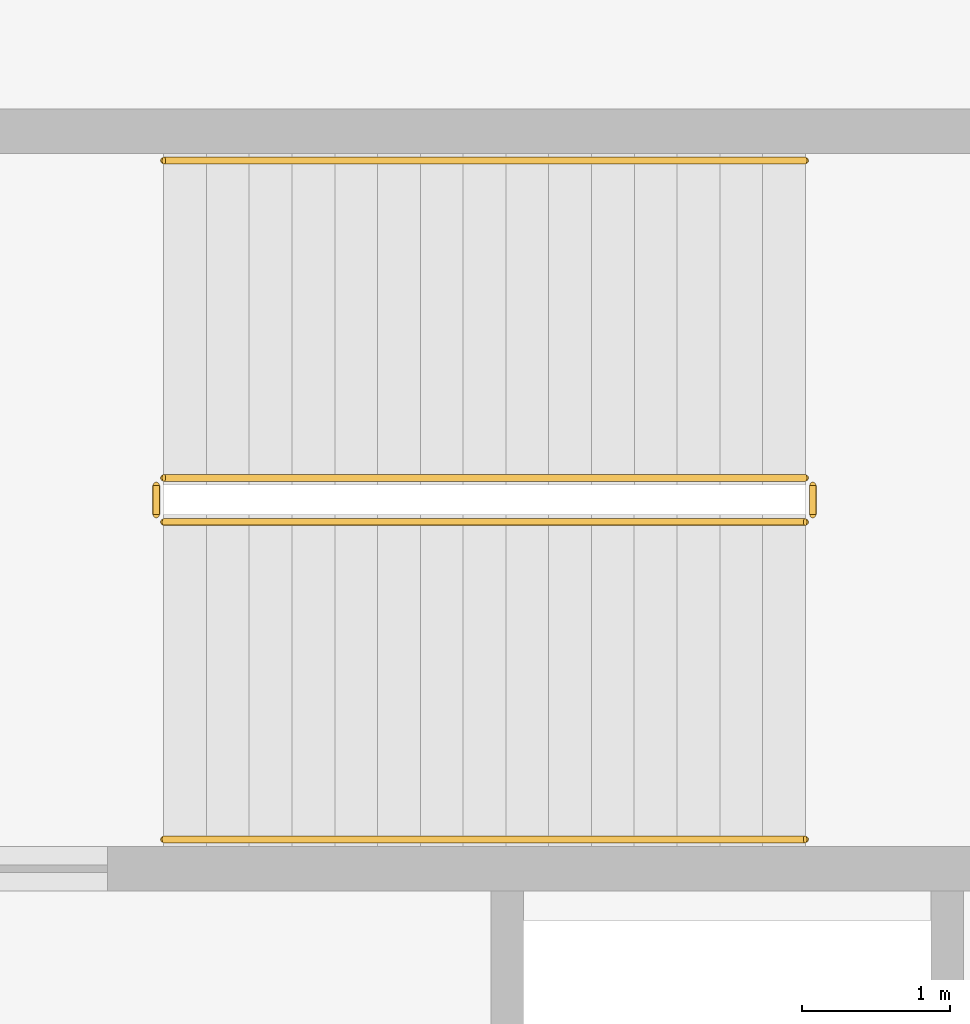
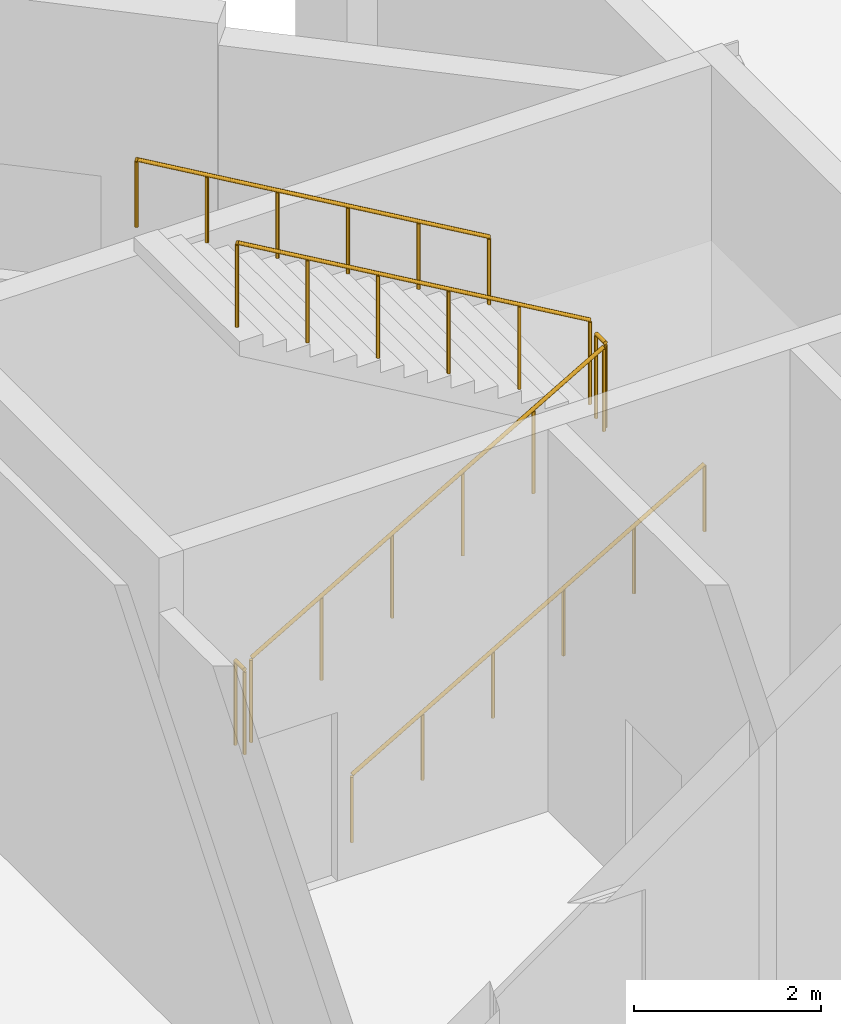
# One storey, part 125 of 127: 6 railings.
"""IFC4 building model written with IfcOpenShell, lengths in metres."""

from ifc_helpers import new_model, si_unit, direction, frame, origin, origin_2d, place, context, subcontext, project, spatial, circle, extrude, material, type_object, element, save


model = new_model("IFC4")

# Units and contexts
model_context = context("Model", 3, precision=1e-05, world=origin(), true_north=direction((0.0, 1.0)))
body_context = subcontext(model_context, "Body", "Model", "MODEL_VIEW")
ifc_project = project(units=[si_unit("LENGTHUNIT", "METRE"), si_unit("AREAUNIT", "SQUARE_METRE"), si_unit("VOLUMEUNIT", "CUBIC_METRE"), si_unit("PLANEANGLEUNIT", "RADIAN"), si_unit("MASSUNIT", "GRAM", prefix="KILO")], contexts=[model_context])

# Site, building, storey
site_placement = place(None, origin())
site = spatial("IfcSite", under=ifc_project, at=site_placement, CompositionType="ELEMENT")
building_placement = place(site_placement, origin())
building = spatial("IfcBuilding", under=site, at=building_placement, Name="Larkvane Passage Sports Hall", CompositionType="ELEMENT")
storey_placement = place(building_placement, frame((0.0, 0.0, 5.39990234375)))
storey = spatial("IfcBuildingStorey", under=building, at=storey_placement, Name="L01", CompositionType="ELEMENT", Elevation=5.39990234375)

# Railings
ifc_material_1 = material(Name="Steel S355JR", Category="steel")
railing_type_1 = type_object("IfcRailingType", Name="RL-GUARD-1120", PredefinedType="GUARDRAIL", material=ifc_material_1)
railing_1_placement = place(storey_placement, frame((86.179931640625, 88.800048828125, 0.1689453125)))
element("IfcRailing", 1, at=railing_1_placement, inside=storey, type_object=railing_type_1, Name="L01 ST-03 stair guard 1", PredefinedType="GUARDRAIL", context=body_context, shape_type="SweptSolid", body=[
    extrude(circle(Radius=0.02392578125, at=origin_2d()), frame((0.001708984375, 0.0, 1.09716796875), z_axis=(0.864323800911, 0.0, 0.50293574856), x_axis=(0.0, 1.0, 0.0)), (0.0, 0.0, 1.0), 5.029052734375),
    extrude(circle(Radius=0.02099609375, at=origin_2d()), origin(), (0.0, 0.0, 1.0), 1.072021484375),
    extrude(circle(Radius=0.02099609375, at=origin_2d()), frame((0.8701171875, 0.0, 0.50634765625)), (0.0, 0.0, 1.0), 1.072021484375),
    extrude(circle(Radius=0.02099609375, at=origin_2d()), frame((1.739990234375, 0.0, 1.012451171875)), (0.0, 0.0, 1.0), 1.072021484375),
    extrude(circle(Radius=0.02099609375, at=origin_2d()), frame((2.610107421875, 0.0, 1.518798828125)), (0.0, 0.0, 1.0), 1.072021484375),
    extrude(circle(Radius=0.02099609375, at=origin_2d()), frame((3.47998046875, 0.0, 2.02490234375)), (0.0, 0.0, 1.0), 1.072021484375),
    extrude(circle(Radius=0.02099609375, at=origin_2d()), frame((4.35009765625, 0.0, 2.53125)), (0.0, 0.0, 1.0), 1.072021484375),
])
railing_2_placement = place(storey_placement, frame((90.580078125, 88.85009765625, 2.7001953125)))
element("IfcRailing", 2, at=railing_2_placement, inside=storey, type_object=railing_type_1, Name="L01 ST-03 stair guard 2", PredefinedType="GUARDRAIL", context=body_context, shape_type="SweptSolid", body=[
    extrude(circle(Radius=0.02392578125, at=origin_2d()), frame((0.0, 0.001953125, 1.09619140625), z_axis=(0.0, 1.0, 0.0), x_axis=(-1.0, 0.0, 0.0)), (0.0, 0.0, 1.0), 0.196044921875),
    extrude(circle(Radius=0.02099609375, at=origin_2d()), origin(), (0.0, 0.0, 1.0), 1.072021484375),
    extrude(circle(Radius=0.02099609375, at=origin_2d()), frame((0.0, 0.199951171875, 0.0)), (0.0, 0.0, 1.0), 1.072021484375),
])
railing_3_placement = place(storey_placement, frame((90.530029296875, 89.10009765625, 2.868896484375)))
element("IfcRailing", 3, at=railing_3_placement, inside=storey, type_object=railing_type_1, Name="L01 ST-03 stair guard 3", PredefinedType="GUARDRAIL", context=body_context, shape_type="SweptSolid", body=[
    extrude(circle(Radius=0.02392578125, at=origin_2d()), frame((-0.001708984375, 0.0, 1.09716796875), z_axis=(-0.864323800911, 0.0, 0.50293574856), x_axis=(0.0, -1.0, 0.0)), (0.0, 0.0, 1.0), 5.029052734375),
    extrude(circle(Radius=0.02099609375, at=origin_2d()), origin(), (0.0, 0.0, 1.0), 1.072021484375),
    extrude(circle(Radius=0.02099609375, at=origin_2d()), frame((-0.8701171875, 0.0, 0.50634765625)), (0.0, 0.0, 1.0), 1.072021484375),
    extrude(circle(Radius=0.02099609375, at=origin_2d()), frame((-1.739990234375, 0.0, 1.012451171875)), (0.0, 0.0, 1.0), 1.072021484375),
    extrude(circle(Radius=0.02099609375, at=origin_2d()), frame((-2.610107421875, 0.0, 1.518798828125)), (0.0, 0.0, 1.0), 1.072021484375),
    extrude(circle(Radius=0.02099609375, at=origin_2d()), frame((-3.47998046875, 0.0, 2.02490234375)), (0.0, 0.0, 1.0), 1.072021484375),
    extrude(circle(Radius=0.02099609375, at=origin_2d()), frame((-4.35009765625, 0.0, 2.53125)), (0.0, 0.0, 1.0), 1.072021484375),
])
railing_4_placement = place(storey_placement, frame((86.1298828125, 88.85009765625, 0.0)))
element("IfcRailing", 4, at=railing_4_placement, inside=storey, type_object=railing_type_1, Name="L01 ST-03 stair guard 4", PredefinedType="GUARDRAIL", context=body_context, shape_type="SweptSolid", body=[
    extrude(circle(Radius=0.02392578125, at=origin_2d()), frame((0.0, 0.001953125, 1.09619140625), z_axis=(0.0, 1.0, 0.0), x_axis=(-1.0, 0.0, 0.0)), (0.0, 0.0, 1.0), 0.196044921875),
    extrude(circle(Radius=0.02099609375, at=origin_2d()), origin(), (0.0, 0.0, 1.0), 1.072021484375),
    extrude(circle(Radius=0.02099609375, at=origin_2d()), frame((0.0, 0.199951171875, 0.0)), (0.0, 0.0, 1.0), 1.072021484375),
])
ifc_material_2 = material(Name="Stainless steel S355JR", Category="steel")
railing_type_2 = type_object("IfcRailingType", Name="RL-HAND-920", PredefinedType="HANDRAIL", material=ifc_material_2)
railing_5_placement = place(storey_placement, frame((86.179931640625, 86.64990234375, 0.1689453125)))
element("IfcRailing", 5, at=railing_5_placement, inside=storey, type_object=railing_type_2, Name="L01 ST-03 stair handrail 1", PredefinedType="HANDRAIL", context=body_context, shape_type="SweptSolid", body=[
    extrude(circle(Radius=0.02392578125, at=origin_2d()), frame((0.001708984375, 0.0, 0.876953125), z_axis=(0.864323800911, 0.0, 0.50293574856), x_axis=(0.0, 1.0, 0.0)), (0.0, 0.0, 1.0), 5.029052734375),
    extrude(circle(Radius=0.02099609375, at=origin_2d()), origin(), (0.0, 0.0, 1.0), 0.851806640625),
    extrude(circle(Radius=0.02099609375, at=origin_2d()), frame((0.8701171875, 0.0, 0.50634765625)), (0.0, 0.0, 1.0), 0.851806640625),
    extrude(circle(Radius=0.02099609375, at=origin_2d()), frame((1.739990234375, 0.0, 1.012451171875)), (0.0, 0.0, 1.0), 0.851806640625),
    extrude(circle(Radius=0.02099609375, at=origin_2d()), frame((2.610107421875, 0.0, 1.518798828125)), (0.0, 0.0, 1.0), 0.851806640625),
    extrude(circle(Radius=0.02099609375, at=origin_2d()), frame((3.47998046875, 0.0, 2.02490234375)), (0.0, 0.0, 1.0), 0.851806640625),
    extrude(circle(Radius=0.02099609375, at=origin_2d()), frame((4.35009765625, 0.0, 2.53125)), (0.0, 0.0, 1.0), 0.851806640625),
])
railing_6_placement = place(storey_placement, frame((90.530029296875, 91.25, 2.868896484375)))
element("IfcRailing", 6, at=railing_6_placement, inside=storey, type_object=railing_type_2, Name="L01 ST-03 stair handrail 2", PredefinedType="HANDRAIL", context=body_context, shape_type="SweptSolid", body=[
    extrude(circle(Radius=0.02392578125, at=origin_2d()), frame((-0.001708984375, 0.0, 0.876953125), z_axis=(-0.864323800911, 0.0, 0.50293574856), x_axis=(0.0, -1.0, 0.0)), (0.0, 0.0, 1.0), 5.029052734375),
    extrude(circle(Radius=0.02099609375, at=origin_2d()), origin(), (0.0, 0.0, 1.0), 0.851806640625),
    extrude(circle(Radius=0.02099609375, at=origin_2d()), frame((-0.8701171875, 0.0, 0.50634765625)), (0.0, 0.0, 1.0), 0.851806640625),
    extrude(circle(Radius=0.02099609375, at=origin_2d()), frame((-1.739990234375, 0.0, 1.012451171875)), (0.0, 0.0, 1.0), 0.851806640625),
    extrude(circle(Radius=0.02099609375, at=origin_2d()), frame((-2.610107421875, 0.0, 1.518798828125)), (0.0, 0.0, 1.0), 0.851806640625),
    extrude(circle(Radius=0.02099609375, at=origin_2d()), frame((-3.47998046875, 0.0, 2.02490234375)), (0.0, 0.0, 1.0), 0.851806640625),
    extrude(circle(Radius=0.02099609375, at=origin_2d()), frame((-4.35009765625, 0.0, 2.53125)), (0.0, 0.0, 1.0), 0.851806640625),
])

save(model, "model.ifc")
